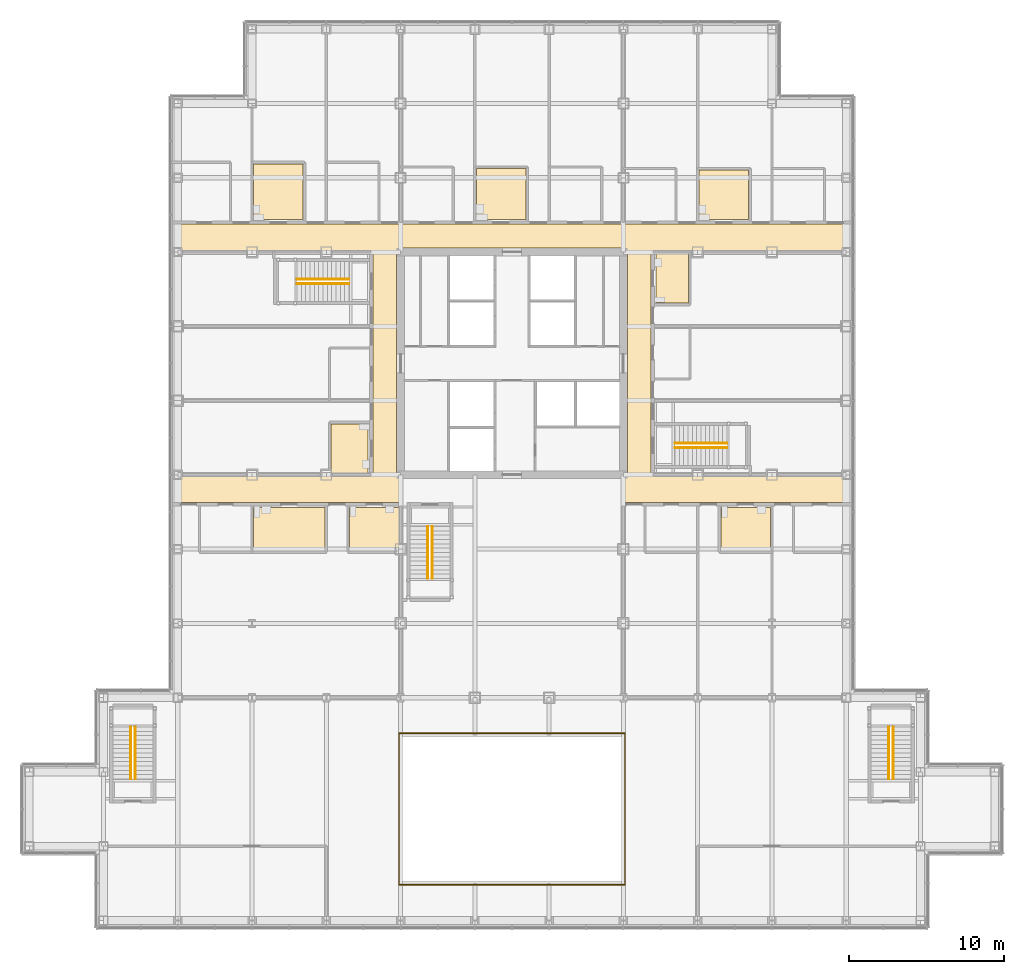
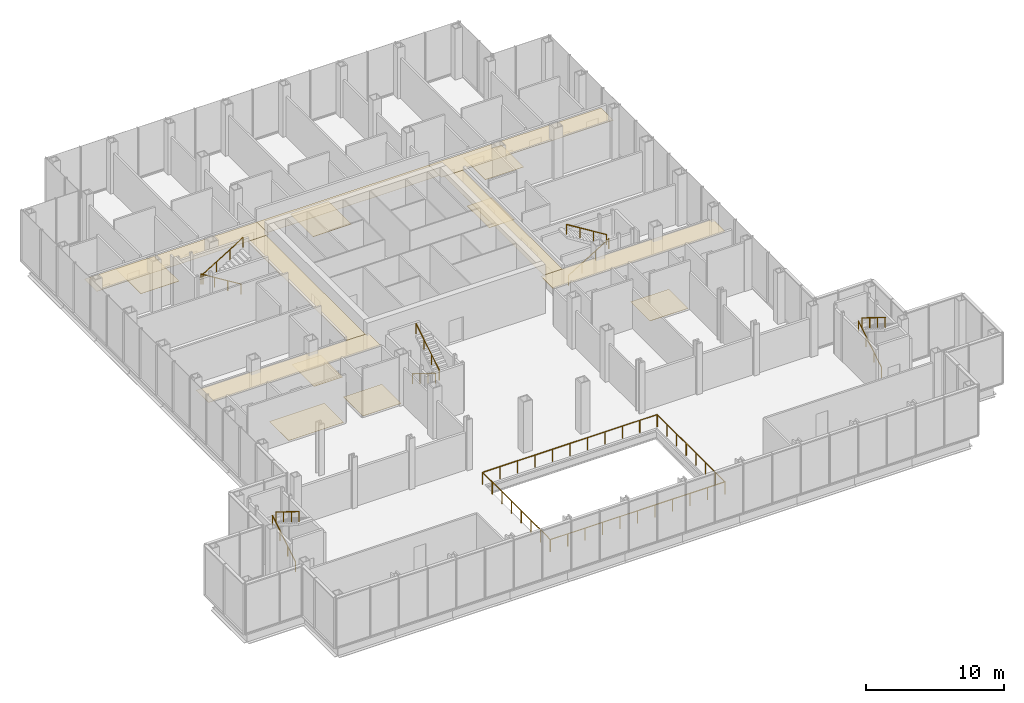
# One storey, part 25 of 26: 15 coverings, 12 railings.
"""IFC4 building model written with IfcOpenShell, lengths in metres."""

from ifc_helpers import new_model, si_unit, direction, frame, origin, origin_2d, place, context, subcontext, project, spatial, polyline, circle, outline, extrude, material, layer, layer_set, type_object, element, save


model = new_model("IFC4")

# Units and contexts
model_context = context("Model", 3, precision=1e-05, world=origin(), true_north=direction((0.0, 1.0)))
body_context = subcontext(model_context, "Body", "Model", "MODEL_VIEW")
ifc_project = project(units=[si_unit("LENGTHUNIT", "METRE"), si_unit("AREAUNIT", "SQUARE_METRE"), si_unit("VOLUMEUNIT", "CUBIC_METRE"), si_unit("PLANEANGLEUNIT", "RADIAN"), si_unit("MASSUNIT", "GRAM", prefix="KILO")], contexts=[model_context])

# Site, building, storey
site_placement = place(None, origin())
site = spatial("IfcSite", under=ifc_project, at=site_placement, CompositionType="ELEMENT")
building_placement = place(site_placement, origin())
building = spatial("IfcBuilding", under=site, at=building_placement, Name="Kvirike Care Tower", CompositionType="ELEMENT")
storey_placement = place(building_placement, frame((0.0, 0.0, 18.0)))
storey = spatial("IfcBuildingStorey", under=building, at=storey_placement, Name="L04", CompositionType="ELEMENT", Elevation=18.0)

# Railings
ifc_material_1 = material(Name="Laminated toughened glass balustrade with bronze-finish top rail", Category="glass")
railing_type_1 = type_object("IfcRailingType", Name="ATRIUM GLASS BALUSTRADE 1100", PredefinedType="BALUSTRADE", material=ifc_material_1)
railing_1_placement = place(storey_placement, frame((14.300048828125, 2.300048828125, 0.0)))
element("IfcRailing", 1, at=railing_1_placement, inside=storey, type_object=railing_type_1, Name="Atrium glass balustrade L04 run 1", PredefinedType="BALUSTRADE", context=body_context, shape_type="SweptSolid", body=[
    extrude(circle(Radius=0.02392578125, at=origin_2d()), frame((0.0, 0.0, 1.076171875), z_axis=(1.0, 0.0, 0.0), x_axis=(0.0, 1.0, 0.0)), (0.0, 0.0, 1.0), 14.599853515625),
    extrude(circle(Radius=0.02392578125, at=origin_2d()), frame((14.599853515625, 0.0, 1.076171875), z_axis=(0.0, 1.0, 0.0), x_axis=(-1.0, 0.0, 0.0)), (0.0, 0.0, 1.0), 9.800048828125),
    extrude(circle(Radius=0.02099609375, at=origin_2d()), origin(), (0.0, 0.0, 1.0), 1.052001953125),
    extrude(circle(Radius=0.02099609375, at=origin_2d()), frame((1.4599609375, 0.0, 0.0)), (0.0, 0.0, 1.0), 1.052001953125),
    extrude(circle(Radius=0.02099609375, at=origin_2d()), frame((2.919921875, 0.0, 0.0)), (0.0, 0.0, 1.0), 1.052001953125),
    extrude(circle(Radius=0.02099609375, at=origin_2d()), frame((4.3798828125, 0.0, 0.0)), (0.0, 0.0, 1.0), 1.052001953125),
    extrude(circle(Radius=0.02099609375, at=origin_2d()), frame((5.83984375, 0.0, 0.0)), (0.0, 0.0, 1.0), 1.052001953125),
    extrude(circle(Radius=0.02099609375, at=origin_2d()), frame((7.2998046875, 0.0, 0.0)), (0.0, 0.0, 1.0), 1.052001953125),
    extrude(circle(Radius=0.02099609375, at=origin_2d()), frame((8.760009765625, 0.0, 0.0)), (0.0, 0.0, 1.0), 1.052001953125),
    extrude(circle(Radius=0.02099609375, at=origin_2d()), frame((10.219970703125, 0.0, 0.0)), (0.0, 0.0, 1.0), 1.052001953125),
    extrude(circle(Radius=0.02099609375, at=origin_2d()), frame((11.679931640625, 0.0, 0.0)), (0.0, 0.0, 1.0), 1.052001953125),
    extrude(circle(Radius=0.02099609375, at=origin_2d()), frame((13.139892578125, 0.0, 0.0)), (0.0, 0.0, 1.0), 1.052001953125),
    extrude(circle(Radius=0.02099609375, at=origin_2d()), frame((14.599853515625, 0.0, 0.0)), (0.0, 0.0, 1.0), 1.052001953125),
    extrude(circle(Radius=0.02099609375, at=origin_2d()), frame((14.599853515625, 1.39990234375, 0.0)), (0.0, 0.0, 1.0), 1.052001953125),
    extrude(circle(Radius=0.02099609375, at=origin_2d()), frame((14.599853515625, 2.800048828125, 0.0)), (0.0, 0.0, 1.0), 1.052001953125),
    extrude(circle(Radius=0.02099609375, at=origin_2d()), frame((14.599853515625, 4.199951171875, 0.0)), (0.0, 0.0, 1.0), 1.052001953125),
    extrude(circle(Radius=0.02099609375, at=origin_2d()), frame((14.599853515625, 5.60009765625, 0.0)), (0.0, 0.0, 1.0), 1.052001953125),
    extrude(circle(Radius=0.02099609375, at=origin_2d()), frame((14.599853515625, 7.0, 0.0)), (0.0, 0.0, 1.0), 1.052001953125),
    extrude(circle(Radius=0.02099609375, at=origin_2d()), frame((14.599853515625, 8.400146484375, 0.0)), (0.0, 0.0, 1.0), 1.052001953125),
    extrude(circle(Radius=0.02099609375, at=origin_2d()), frame((14.599853515625, 9.800048828125, 0.0)), (0.0, 0.0, 1.0), 1.052001953125),
])
railing_2_placement = place(storey_placement, frame((28.89990234375, 12.10009765625, 0.0)))
element("IfcRailing", 2, at=railing_2_placement, inside=storey, type_object=railing_type_1, Name="Atrium glass balustrade L04 run 2", PredefinedType="BALUSTRADE", context=body_context, shape_type="SweptSolid", body=[
    extrude(circle(Radius=0.02392578125, at=origin_2d()), frame((0.0, 0.0, 1.076171875), z_axis=(-1.0, 0.0, 0.0), x_axis=(0.0, -1.0, 0.0)), (0.0, 0.0, 1.0), 14.599853515625),
    extrude(circle(Radius=0.02392578125, at=origin_2d()), frame((-14.599853515625, 0.0, 1.076171875), z_axis=(0.0, -1.0, 0.0), x_axis=(1.0, 0.0, 0.0)), (0.0, 0.0, 1.0), 9.800048828125),
    extrude(circle(Radius=0.02099609375, at=origin_2d()), origin(), (0.0, 0.0, 1.0), 1.052001953125),
    extrude(circle(Radius=0.02099609375, at=origin_2d()), frame((-1.4599609375, 0.0, 0.0)), (0.0, 0.0, 1.0), 1.052001953125),
    extrude(circle(Radius=0.02099609375, at=origin_2d()), frame((-2.919921875, 0.0, 0.0)), (0.0, 0.0, 1.0), 1.052001953125),
    extrude(circle(Radius=0.02099609375, at=origin_2d()), frame((-4.3798828125, 0.0, 0.0)), (0.0, 0.0, 1.0), 1.052001953125),
    extrude(circle(Radius=0.02099609375, at=origin_2d()), frame((-5.83984375, 0.0, 0.0)), (0.0, 0.0, 1.0), 1.052001953125),
    extrude(circle(Radius=0.02099609375, at=origin_2d()), frame((-7.2998046875, 0.0, 0.0)), (0.0, 0.0, 1.0), 1.052001953125),
    extrude(circle(Radius=0.02099609375, at=origin_2d()), frame((-8.760009765625, 0.0, 0.0)), (0.0, 0.0, 1.0), 1.052001953125),
    extrude(circle(Radius=0.02099609375, at=origin_2d()), frame((-10.219970703125, 0.0, 0.0)), (0.0, 0.0, 1.0), 1.052001953125),
    extrude(circle(Radius=0.02099609375, at=origin_2d()), frame((-11.679931640625, 0.0, 0.0)), (0.0, 0.0, 1.0), 1.052001953125),
    extrude(circle(Radius=0.02099609375, at=origin_2d()), frame((-13.139892578125, 0.0, 0.0)), (0.0, 0.0, 1.0), 1.052001953125),
    extrude(circle(Radius=0.02099609375, at=origin_2d()), frame((-14.599853515625, 0.0, 0.0)), (0.0, 0.0, 1.0), 1.052001953125),
    extrude(circle(Radius=0.02099609375, at=origin_2d()), frame((-14.599853515625, -1.39990234375, 0.0)), (0.0, 0.0, 1.0), 1.052001953125),
    extrude(circle(Radius=0.02099609375, at=origin_2d()), frame((-14.599853515625, -2.800048828125, 0.0)), (0.0, 0.0, 1.0), 1.052001953125),
    extrude(circle(Radius=0.02099609375, at=origin_2d()), frame((-14.599853515625, -4.199951171875, 0.0)), (0.0, 0.0, 1.0), 1.052001953125),
    extrude(circle(Radius=0.02099609375, at=origin_2d()), frame((-14.599853515625, -5.60009765625, 0.0)), (0.0, 0.0, 1.0), 1.052001953125),
    extrude(circle(Radius=0.02099609375, at=origin_2d()), frame((-14.599853515625, -7.0, 0.0)), (0.0, 0.0, 1.0), 1.052001953125),
    extrude(circle(Radius=0.02099609375, at=origin_2d()), frame((-14.599853515625, -8.400146484375, 0.0)), (0.0, 0.0, 1.0), 1.052001953125),
    extrude(circle(Radius=0.02099609375, at=origin_2d()), frame((-14.599853515625, -9.800048828125, 0.0)), (0.0, 0.0, 1.0), 1.052001953125),
])

# Coverings
ifc_material_2 = material(Name="Perforated metal ceiling tile", Category="aluminium")
ifc_layer_1 = layer(ifc_material_2, 0.014892578125)
ifc_layer_set_1 = layer_set([ifc_layer_1], Name="CORRIDOR CEILING 15")
covering_type_1 = type_object("IfcCoveringType", Name="CORRIDOR CEILING 15", PredefinedType="CEILING", material=ifc_layer_set_1)
covering_1_placement = place(storey_placement, frame((0.0, 0.0, 3.199951171875)))
element("IfcCovering", 3, at=covering_1_placement, inside=storey, type_object=covering_type_1, Name="Corridor ceiling L04", PredefinedType="CEILING", context=body_context, shape_type="SweptSolid", body=[
    extrude(outline(polyline([(0.0, 27.0), (0.0, 28.800048828125), (14.39990234375, 28.800048828125), (14.39990234375, 27.0), (0.0, 27.0)])), origin(), (0.0, 0.0, 1.0), 0.01513671875),
])
covering_2_placement = place(storey_placement, frame((0.0, 0.0, 3.199951171875)))
element("IfcCovering", 4, at=covering_2_placement, inside=storey, type_object=covering_type_1, Name="Corridor ceiling L04", PredefinedType="CEILING", context=body_context, shape_type="SweptSolid", body=[
    extrude(outline(polyline([(12.60009765625, 43.199951171875), (14.14990234375, 43.199951171875), (14.14990234375, 28.800048828125), (12.60009765625, 28.800048828125), (12.60009765625, 43.199951171875)])), origin(), (0.0, 0.0, 1.0), 0.01513671875),
])
covering_3_placement = place(storey_placement, frame((0.0, 0.0, 3.199951171875)))
element("IfcCovering", 5, at=covering_3_placement, inside=storey, type_object=covering_type_1, Name="Corridor ceiling L04", PredefinedType="CEILING", context=body_context, shape_type="SweptSolid", body=[
    extrude(outline(polyline([(14.39990234375, 45.0), (14.39990234375, 43.199951171875), (0.0, 43.199951171875), (0.0, 45.0), (14.39990234375, 45.0)])), origin(), (0.0, 0.0, 1.0), 0.01513671875),
])
covering_4_placement = place(storey_placement, frame((0.0, 0.0, 3.199951171875)))
element("IfcCovering", 6, at=covering_4_placement, inside=storey, type_object=covering_type_1, Name="Corridor ceiling L04", PredefinedType="CEILING", context=body_context, shape_type="SweptSolid", body=[
    extrude(outline(polyline([(28.800048828125, 45.0), (28.800048828125, 43.449951171875), (14.39990234375, 43.449951171875), (14.39990234375, 45.0), (28.800048828125, 45.0)])), origin(), (0.0, 0.0, 1.0), 0.01513671875),
])
covering_5_placement = place(storey_placement, frame((0.0, 0.0, 3.199951171875)))
element("IfcCovering", 7, at=covering_5_placement, inside=storey, type_object=covering_type_1, Name="Corridor ceiling L04", PredefinedType="CEILING", context=body_context, shape_type="SweptSolid", body=[
    extrude(outline(polyline([(28.800048828125, 27.0), (28.800048828125, 28.800048828125), (43.199951171875, 28.800048828125), (43.199951171875, 27.0), (28.800048828125, 27.0)])), origin(), (0.0, 0.0, 1.0), 0.01513671875),
])
covering_6_placement = place(storey_placement, frame((0.0, 0.0, 3.199951171875)))
element("IfcCovering", 8, at=covering_6_placement, inside=storey, type_object=covering_type_1, Name="Corridor ceiling L04", PredefinedType="CEILING", context=body_context, shape_type="SweptSolid", body=[
    extrude(outline(polyline([(30.60009765625, 28.800048828125), (29.050048828125, 28.800048828125), (29.050048828125, 43.199951171875), (30.60009765625, 43.199951171875), (30.60009765625, 28.800048828125)])), origin(), (0.0, 0.0, 1.0), 0.01513671875),
])
covering_7_placement = place(storey_placement, frame((0.0, 0.0, 3.199951171875)))
element("IfcCovering", 9, at=covering_7_placement, inside=storey, type_object=covering_type_1, Name="Corridor ceiling L04", PredefinedType="CEILING", context=body_context, shape_type="SweptSolid", body=[
    extrude(outline(polyline([(43.199951171875, 45.0), (43.199951171875, 43.199951171875), (28.800048828125, 43.199951171875), (28.800048828125, 45.0), (43.199951171875, 45.0)])), origin(), (0.0, 0.0, 1.0), 0.01513671875),
])

# Railings
ifc_material_3 = material(Name="Stainless steel handrail", Category="steel")
railing_type_2 = type_object("IfcRailingType", Name="STAIR HANDRAIL 900", PredefinedType="HANDRAIL", material=ifc_material_3)
railing_3_placement = place(storey_placement, frame((11.06005859375, 41.449951171875, 0.173095703125)))
element("IfcRailing", 10, at=railing_3_placement, inside=storey, type_object=railing_type_2, Name="Stair 1 handrail L04 flight 1", PredefinedType="HANDRAIL", context=body_context, shape_type="SweptSolid", body=[
    extrude(circle(Radius=0.02490234375, at=origin_2d()), frame((0.0, 0.0, 0.875), z_axis=(-0.850623216509, 0.0, 0.525775754039), x_axis=(0.0, -1.0, 0.0)), (0.0, 0.0, 1.0), 3.9501953125),
    extrude(circle(Radius=0.02001953125, at=origin_2d()), origin(), (0.0, 0.0, 1.0), 0.849853515625),
    extrude(circle(Radius=0.02001953125, at=origin_2d()), frame((-1.1201171875, 0.0, 0.6923828125)), (0.0, 0.0, 1.0), 0.849853515625),
    extrude(circle(Radius=0.02001953125, at=origin_2d()), frame((-2.239990234375, 0.0, 1.384521484375)), (0.0, 0.0, 1.0), 0.849853515625),
    extrude(circle(Radius=0.02001953125, at=origin_2d()), frame((-3.360107421875, 0.0, 2.076904296875)), (0.0, 0.0, 1.0), 0.849853515625),
])
for number, where, name in (
    (11, (7.699951171875, 41.14990234375, 2.423095703125), "Stair 1 handrail L04 flight 2"),
    (12, (32.139892578125, 30.550048828125, 0.173095703125), "Stair 2 handrail L04 flight 1"),
):
    element("IfcRailing", number, at=place(storey_placement, frame(where)), inside=storey, type_object=railing_type_2, Name=name, PredefinedType="HANDRAIL", context=body_context, shape_type="SweptSolid", body=[
        extrude(circle(Radius=0.02490234375, at=origin_2d()), frame((0.0, 0.0, 0.875), z_axis=(0.850623216509, 0.0, 0.525775754039), x_axis=(0.0, 1.0, 0.0)), (0.0, 0.0, 1.0), 3.9501953125),
        extrude(circle(Radius=0.02001953125, at=origin_2d()), origin(), (0.0, 0.0, 1.0), 0.849853515625),
        extrude(circle(Radius=0.02001953125, at=origin_2d()), frame((1.1201171875, 0.0, 0.6923828125)), (0.0, 0.0, 1.0), 0.849853515625),
        extrude(circle(Radius=0.02001953125, at=origin_2d()), frame((2.239990234375, 0.0, 1.384521484375)), (0.0, 0.0, 1.0), 0.849853515625),
        extrude(circle(Radius=0.02001953125, at=origin_2d()), frame((3.360107421875, 0.0, 2.076904296875)), (0.0, 0.0, 1.0), 0.849853515625),
    ])
railing_4_placement = place(storey_placement, frame((35.5, 30.85009765625, 2.423095703125)))
element("IfcRailing", 13, at=railing_4_placement, inside=storey, type_object=railing_type_2, Name="Stair 2 handrail L04 flight 2", PredefinedType="HANDRAIL", context=body_context, shape_type="SweptSolid", body=[
    extrude(circle(Radius=0.02490234375, at=origin_2d()), frame((0.0, 0.0, 0.875), z_axis=(-0.850623216509, 0.0, 0.525775754039), x_axis=(0.0, -1.0, 0.0)), (0.0, 0.0, 1.0), 3.9501953125),
    extrude(circle(Radius=0.02001953125, at=origin_2d()), origin(), (0.0, 0.0, 1.0), 0.849853515625),
    extrude(circle(Radius=0.02001953125, at=origin_2d()), frame((-1.1201171875, 0.0, 0.6923828125)), (0.0, 0.0, 1.0), 0.849853515625),
    extrude(circle(Radius=0.02001953125, at=origin_2d()), frame((-2.239990234375, 0.0, 1.384521484375)), (0.0, 0.0, 1.0), 0.849853515625),
    extrude(circle(Radius=0.02001953125, at=origin_2d()), frame((-3.360107421875, 0.0, 2.076904296875)), (0.0, 0.0, 1.0), 0.849853515625),
])
railing_5_placement = place(storey_placement, frame((-3.050048828125, 9.139892578125, 0.173095703125)))
element("IfcRailing", 14, at=railing_5_placement, inside=storey, type_object=railing_type_2, Name="Stair 3 handrail L04 flight 1", PredefinedType="HANDRAIL", context=body_context, shape_type="SweptSolid", body=[
    extrude(circle(Radius=0.02490234375, at=origin_2d()), frame((0.0, 0.0, 0.875), z_axis=(0.0, 0.850623216509, 0.525775754039), x_axis=(-1.0, 0.0, 0.0)), (0.0, 0.0, 1.0), 3.9501953125),
    extrude(circle(Radius=0.02001953125, at=origin_2d()), origin(), (0.0, 0.0, 1.0), 0.849853515625),
    extrude(circle(Radius=0.02001953125, at=origin_2d()), frame((0.0, 1.1201171875, 0.6923828125)), (0.0, 0.0, 1.0), 0.849853515625),
    extrude(circle(Radius=0.02001953125, at=origin_2d()), frame((0.0, 2.239990234375, 1.384521484375)), (0.0, 0.0, 1.0), 0.849853515625),
    extrude(circle(Radius=0.02001953125, at=origin_2d()), frame((0.0, 3.360107421875, 2.076904296875)), (0.0, 0.0, 1.0), 0.849853515625),
])
railing_6_placement = place(storey_placement, frame((-2.75, 12.5, 2.423095703125)))
element("IfcRailing", 15, at=railing_6_placement, inside=storey, type_object=railing_type_2, Name="Stair 3 handrail L04 flight 2", PredefinedType="HANDRAIL", context=body_context, shape_type="SweptSolid", body=[
    extrude(circle(Radius=0.02490234375, at=origin_2d()), frame((0.0, 0.0, 0.875), z_axis=(0.0, -0.850623216509, 0.525775754039), x_axis=(1.0, 0.0, 0.0)), (0.0, 0.0, 1.0), 3.9501953125),
    extrude(circle(Radius=0.02001953125, at=origin_2d()), origin(), (0.0, 0.0, 1.0), 0.849853515625),
    extrude(circle(Radius=0.02001953125, at=origin_2d()), frame((0.0, -1.1201171875, 0.6923828125)), (0.0, 0.0, 1.0), 0.849853515625),
    extrude(circle(Radius=0.02001953125, at=origin_2d()), frame((0.0, -2.239990234375, 1.384521484375)), (0.0, 0.0, 1.0), 0.849853515625),
    extrude(circle(Radius=0.02001953125, at=origin_2d()), frame((0.0, -3.360107421875, 2.076904296875)), (0.0, 0.0, 1.0), 0.849853515625),
])
railing_7_placement = place(storey_placement, frame((45.949951171875, 9.139892578125, 0.173095703125)))
element("IfcRailing", 16, at=railing_7_placement, inside=storey, type_object=railing_type_2, Name="Stair 4 handrail L04 flight 1", PredefinedType="HANDRAIL", context=body_context, shape_type="SweptSolid", body=[
    extrude(circle(Radius=0.02490234375, at=origin_2d()), frame((0.0, 0.0, 0.875), z_axis=(0.0, 0.850623216509, 0.525775754039), x_axis=(-1.0, 0.0, 0.0)), (0.0, 0.0, 1.0), 3.9501953125),
    extrude(circle(Radius=0.02001953125, at=origin_2d()), origin(), (0.0, 0.0, 1.0), 0.849853515625),
    extrude(circle(Radius=0.02001953125, at=origin_2d()), frame((0.0, 1.1201171875, 0.6923828125)), (0.0, 0.0, 1.0), 0.849853515625),
    extrude(circle(Radius=0.02001953125, at=origin_2d()), frame((0.0, 2.239990234375, 1.384521484375)), (0.0, 0.0, 1.0), 0.849853515625),
    extrude(circle(Radius=0.02001953125, at=origin_2d()), frame((0.0, 3.360107421875, 2.076904296875)), (0.0, 0.0, 1.0), 0.849853515625),
])
railing_8_placement = place(storey_placement, frame((46.25, 12.5, 2.423095703125)))
element("IfcRailing", 17, at=railing_8_placement, inside=storey, type_object=railing_type_2, Name="Stair 4 handrail L04 flight 2", PredefinedType="HANDRAIL", context=body_context, shape_type="SweptSolid", body=[
    extrude(circle(Radius=0.02490234375, at=origin_2d()), frame((0.0, 0.0, 0.875), z_axis=(0.0, -0.850623216509, 0.525775754039), x_axis=(1.0, 0.0, 0.0)), (0.0, 0.0, 1.0), 3.9501953125),
    extrude(circle(Radius=0.02001953125, at=origin_2d()), origin(), (0.0, 0.0, 1.0), 0.849853515625),
    extrude(circle(Radius=0.02001953125, at=origin_2d()), frame((0.0, -1.1201171875, 0.6923828125)), (0.0, 0.0, 1.0), 0.849853515625),
    extrude(circle(Radius=0.02001953125, at=origin_2d()), frame((0.0, -2.239990234375, 1.384521484375)), (0.0, 0.0, 1.0), 0.849853515625),
    extrude(circle(Radius=0.02001953125, at=origin_2d()), frame((0.0, -3.360107421875, 2.076904296875)), (0.0, 0.0, 1.0), 0.849853515625),
])
railing_9_placement = place(storey_placement, frame((16.14990234375, 25.4599609375, 0.173095703125)))
element("IfcRailing", 18, at=railing_9_placement, inside=storey, type_object=railing_type_2, Name="Stair 5 handrail L04 flight 1", PredefinedType="HANDRAIL", context=body_context, shape_type="SweptSolid", body=[
    extrude(circle(Radius=0.02490234375, at=origin_2d()), frame((0.0, 0.0, 0.875), z_axis=(0.0, -0.850606129759, 0.525803396734), x_axis=(1.0, 0.0, 0.0)), (0.0, 0.0, 1.0), 3.949951171875),
    extrude(circle(Radius=0.02001953125, at=origin_2d()), origin(), (0.0, 0.0, 1.0), 0.849853515625),
    extrude(circle(Radius=0.02001953125, at=origin_2d()), frame((0.0, -1.119873046875, 0.6923828125)), (0.0, 0.0, 1.0), 0.849853515625),
    extrude(circle(Radius=0.02001953125, at=origin_2d()), frame((0.0, -2.239990234375, 1.384521484375)), (0.0, 0.0, 1.0), 0.849853515625),
    extrude(circle(Radius=0.02001953125, at=origin_2d()), frame((0.0, -3.35986328125, 2.076904296875)), (0.0, 0.0, 1.0), 0.849853515625),
])
railing_10_placement = place(storey_placement, frame((16.449951171875, 22.10009765625, 2.423095703125)))
element("IfcRailing", 19, at=railing_10_placement, inside=storey, type_object=railing_type_2, Name="Stair 5 handrail L04 flight 2", PredefinedType="HANDRAIL", context=body_context, shape_type="SweptSolid", body=[
    extrude(circle(Radius=0.02490234375, at=origin_2d()), frame((0.0, 0.0, 0.875), z_axis=(0.0, 0.850606129759, 0.525803396734), x_axis=(-1.0, 0.0, 0.0)), (0.0, 0.0, 1.0), 3.949951171875),
    extrude(circle(Radius=0.02001953125, at=origin_2d()), origin(), (0.0, 0.0, 1.0), 0.849853515625),
    extrude(circle(Radius=0.02001953125, at=origin_2d()), frame((0.0, 1.119873046875, 0.6923828125)), (0.0, 0.0, 1.0), 0.849853515625),
    extrude(circle(Radius=0.02001953125, at=origin_2d()), frame((0.0, 2.239990234375, 1.384521484375)), (0.0, 0.0, 1.0), 0.849853515625),
    extrude(circle(Radius=0.02001953125, at=origin_2d()), frame((0.0, 3.35986328125, 2.076904296875)), (0.0, 0.0, 1.0), 0.849853515625),
])

# Coverings
ifc_material_4 = material(Name="Slip-resistant vinyl safety flooring on screed")
ifc_layer_2 = layer(ifc_material_4, 0.02001953125)
ifc_layer_set_2 = layer_set([ifc_layer_2], Name="WET ROOM FLOOR 20")
covering_type_2 = type_object("IfcCoveringType", Name="WET ROOM FLOOR 20", PredefinedType="FLOORING", material=ifc_layer_set_2)
covering_8_placement = place(storey_placement, origin())
element("IfcCovering", 20, at=covering_8_placement, inside=storey, type_object=covering_type_2, Name="Accessible WC floor L04-004", PredefinedType="FLOORING", context=body_context, shape_type="SweptSolid", body=[
    extrude(outline(polyline([(4.89990234375, 26.699951171875), (9.5, 26.699951171875), (9.5, 23.89990234375), (4.89990234375, 23.89990234375), (4.89990234375, 26.699951171875)])), origin(), (0.0, 0.0, 1.0), 0.02001953125),
])
covering_9_placement = place(storey_placement, origin())
element("IfcCovering", 21, at=covering_9_placement, inside=storey, type_object=covering_type_2, Name="Staff WC floor L04-005", PredefinedType="FLOORING", context=body_context, shape_type="SweptSolid", body=[
    extrude(outline(polyline([(11.10009765625, 26.699951171875), (14.300048828125, 26.699951171875), (14.300048828125, 23.89990234375), (11.10009765625, 23.89990234375), (11.10009765625, 26.699951171875)])), origin(), (0.0, 0.0, 1.0), 0.02001953125),
])
covering_10_placement = place(storey_placement, origin())
element("IfcCovering", 22, at=covering_10_placement, inside=storey, type_object=covering_type_2, Name="Staff WC floor L04-012", PredefinedType="FLOORING", context=body_context, shape_type="SweptSolid", body=[
    extrude(outline(polyline([(12.300048828125, 32.10009765625), (12.300048828125, 28.89990234375), (9.89990234375, 28.89990234375), (9.89990234375, 32.10009765625), (12.300048828125, 32.10009765625)])), origin(), (0.0, 0.0, 1.0), 0.02001953125),
])
covering_11_placement = place(storey_placement, origin())
element("IfcCovering", 23, at=covering_11_placement, inside=storey, type_object=covering_type_2, Name="Staff WC floor L04-018", PredefinedType="FLOORING", context=body_context, shape_type="SweptSolid", body=[
    extrude(outline(polyline([(8.10009765625, 45.300048828125), (4.89990234375, 45.300048828125), (4.89990234375, 48.89990234375), (8.10009765625, 48.89990234375), (8.10009765625, 45.300048828125)])), origin(), (0.0, 0.0, 1.0), 0.02001953125),
])
covering_12_placement = place(storey_placement, origin())
element("IfcCovering", 24, at=covering_12_placement, inside=storey, type_object=covering_type_2, Name="Accessible WC floor L04-027", PredefinedType="FLOORING", context=body_context, shape_type="SweptSolid", body=[
    extrude(outline(polyline([(22.5, 45.300048828125), (19.300048828125, 45.300048828125), (19.300048828125, 48.60009765625), (22.5, 48.60009765625), (22.5, 45.300048828125)])), origin(), (0.0, 0.0, 1.0), 0.02001953125),
])
covering_13_placement = place(storey_placement, origin())
element("IfcCovering", 25, at=covering_13_placement, inside=storey, type_object=covering_type_2, Name="Accessible WC floor L04-034", PredefinedType="FLOORING", context=body_context, shape_type="SweptSolid", body=[
    extrude(outline(polyline([(35.10009765625, 26.699951171875), (38.300048828125, 26.699951171875), (38.300048828125, 23.89990234375), (35.10009765625, 23.89990234375), (35.10009765625, 26.699951171875)])), origin(), (0.0, 0.0, 1.0), 0.02001953125),
])
covering_14_placement = place(storey_placement, origin())
element("IfcCovering", 26, at=covering_14_placement, inside=storey, type_object=covering_type_2, Name="Staff WC floor L04-042", PredefinedType="FLOORING", context=body_context, shape_type="SweptSolid", body=[
    extrude(outline(polyline([(30.89990234375, 39.89990234375), (30.89990234375, 43.10009765625), (33.0, 43.10009765625), (33.0, 39.89990234375), (30.89990234375, 39.89990234375)])), origin(), (0.0, 0.0, 1.0), 0.02001953125),
])
covering_15_placement = place(storey_placement, origin())
element("IfcCovering", 27, at=covering_15_placement, inside=storey, type_object=covering_type_2, Name="Staff WC floor L04-048", PredefinedType="FLOORING", context=body_context, shape_type="SweptSolid", body=[
    extrude(outline(polyline([(36.89990234375, 45.300048828125), (33.699951171875, 45.300048828125), (33.699951171875, 48.5), (36.89990234375, 48.5), (36.89990234375, 45.300048828125)])), origin(), (0.0, 0.0, 1.0), 0.02001953125),
])

save(model, "model.ifc")
